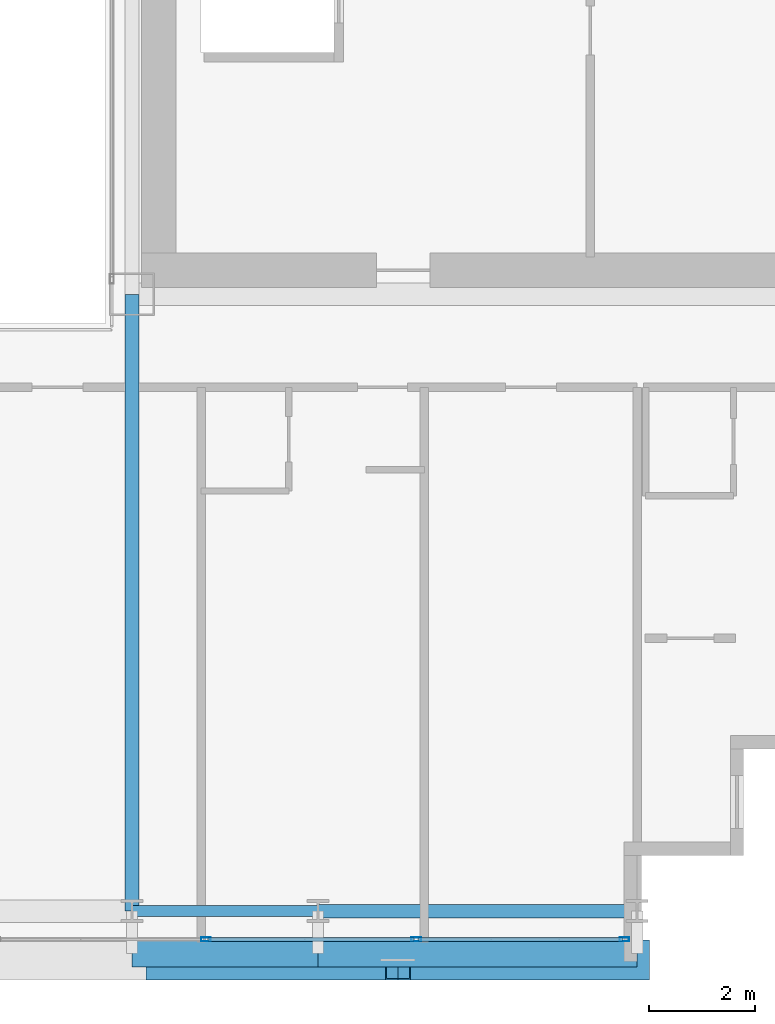
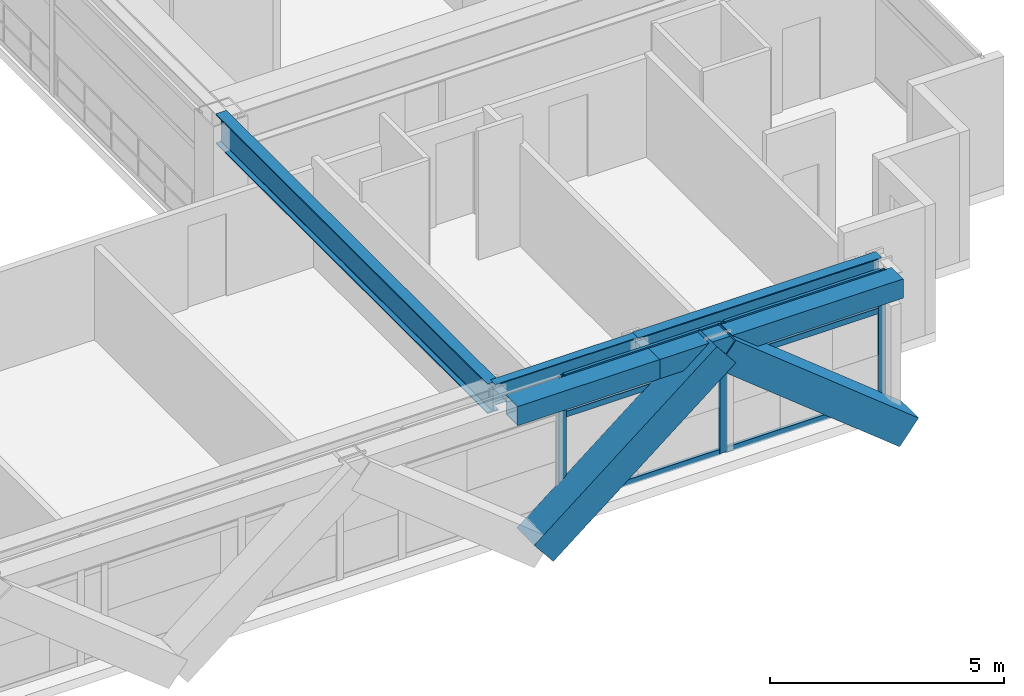
# One storey, part 11 of 39: 11 members, 5 beams, 1 element without a shape of its own.
"""IFC4 building model written with IfcOpenShell, lengths in metres."""

from ifc_helpers import new_model, si_unit, direction, frame, origin, origin_2d, place, context, subcontext, project, spatial, hollow_rectangle, i_section, extrude, source, transform, mapped, material, layer, layer_set, material_profile, profile_set, type_object, element, aggregate, save


model = new_model("IFC4")

# Units and contexts
model_context = context("Model", 3, precision=1e-05, world=origin(), true_north=direction((0.0, 1.0)))
body_context = subcontext(model_context, "Body", "Model", "MODEL_VIEW")
ifc_project = project(units=[si_unit("LENGTHUNIT", "METRE"), si_unit("AREAUNIT", "SQUARE_METRE"), si_unit("VOLUMEUNIT", "CUBIC_METRE"), si_unit("PLANEANGLEUNIT", "RADIAN"), si_unit("MASSUNIT", "GRAM", prefix="KILO")], contexts=[model_context])

# Site, building, storey
site_placement = place(None, origin())
site = spatial("IfcSite", under=ifc_project, at=site_placement, CompositionType="ELEMENT")
building_placement = place(site_placement, origin())
building = spatial("IfcBuilding", under=site, at=building_placement, Name="Ocotamira Hotel", CompositionType="ELEMENT")
storey_placement = place(building_placement, frame((0.0, 0.0, 126.0)))
storey = spatial("IfcBuildingStorey", under=building, at=storey_placement, Name="L31", CompositionType="ELEMENT", Elevation=126.0)

# Beams
ifc_material_1 = material(Name="Steel ASTM A992 Grade 50", Category="steel")
ifc_material_profile_1 = material_profile(ifc_material_1, i_section(OverallWidth=0.256103515625, OverallDepth=0.693115234375, WebThickness=0.014404296875, FlangeThickness=0.023681640625, FilletRadius=0.01611328125, at=origin_2d()), Name="W27X114")
ifc_profile_set_1 = profile_set([ifc_material_profile_1], Name="Steel ASTM A992 Grade 50")
beam_type_1 = type_object("IfcBeamType", Name="BM-PRIM-W27X114", PredefinedType="BEAM", material=ifc_profile_set_1)
shared_shape_1 = source(origin(), body_context, "Body", "SweptSolid", [
    extrude(i_section(OverallWidth=0.256103515625, OverallDepth=0.693115234375, WebThickness=0.014404296875, FlangeThickness=0.023681640625, FilletRadius=0.01611328125, at=origin_2d()), origin(), (0.0, 0.0, 1.0), 6.0),
])
beam_1_placement = place(storey_placement, frame((44.0, 2.949951171875, 3.013427734375), z_axis=(1.0, 0.0, 0.0), x_axis=(0.0, 1.0, 0.0)))
element("IfcBeam", 1, at=beam_1_placement, inside=storey, type_object=beam_type_1, Name="L31 Girder Y2.95 X44-50", PredefinedType="BEAM", context=body_context, shape_type="MappedRepresentation", body=[
    mapped(shared_shape_1, transform((0.0, 0.0, 0.0), scale=1.0)),
])
ifc_material_profile_2 = material_profile(ifc_material_1, i_section(OverallWidth=0.2099609375, OverallDepth=0.537109375, WebThickness=0.010986328125, FlangeThickness=0.017333984375, FilletRadius=0.012939453125, at=origin_2d()), Name="W21X68")
ifc_profile_set_2 = profile_set([ifc_material_profile_2], Name="Steel ASTM A992 Grade 50")
beam_type_2 = type_object("IfcBeamType", Name="BM-SEC-W21X68", PredefinedType="JOIST", material=ifc_profile_set_2)
shared_shape_2 = source(origin(), body_context, "Body", "SweptSolid", [
    extrude(i_section(OverallWidth=0.2099609375, OverallDepth=0.537109375, WebThickness=0.010986328125, FlangeThickness=0.017333984375, FilletRadius=0.012939453125, at=origin_2d()), origin(), (0.0, 0.0, 1.0), 3.5),
])
beam_2_placement = place(storey_placement, frame((40.5, 2.949951171875, 3.091552734375), z_axis=(1.0, 0.0, 0.0), x_axis=(0.0, 1.0, 0.0)))
element("IfcBeam", 2, at=beam_2_placement, inside=storey, type_object=beam_type_2, Name="L31 Girder Y2.95 X40.5-44", PredefinedType="JOIST", context=body_context, shape_type="MappedRepresentation", body=[
    mapped(shared_shape_2, transform((0.0, 0.0, 0.0), scale=1.0)),
])
ifc_material_profile_3 = material_profile(ifc_material_1, i_section(OverallWidth=0.26611328125, OverallDepth=0.779052734375, WebThickness=0.0166015625, FlangeThickness=0.030029296875, FilletRadius=0.01806640625, at=origin_2d()), Name="W30X148")
ifc_profile_set_3 = profile_set([ifc_material_profile_3], Name="Steel ASTM A992 Grade 50")
beam_type_3 = type_object("IfcBeamType", Name="BM-GIRD-W30X148", PredefinedType="BEAM", material=ifc_profile_set_3)
shared_shape_3 = source(origin(), body_context, "Body", "SweptSolid", [
    extrude(i_section(OverallWidth=0.26611328125, OverallDepth=0.779052734375, WebThickness=0.0166015625, FlangeThickness=0.030029296875, FilletRadius=0.01806640625, at=origin_2d()), origin(), (0.0, 0.0, 1.0), 11.60009765625),
])
beam_3_placement = place(storey_placement, frame((40.5, 2.949951171875, 2.970458984375), z_axis=(0.0, 1.0, 0.0), x_axis=(-1.0, 0.0, 0.0)))
element("IfcBeam", 3, at=beam_3_placement, inside=storey, type_object=beam_type_3, Name="L31 Beam X40.5 Y2.95-14.55", PredefinedType="BEAM", context=body_context, shape_type="MappedRepresentation", body=[
    mapped(shared_shape_3, transform((0.0, 0.0, 0.0), scale=1.0)),
])
ifc_material_2 = material(Name="Steel ASTM A500 Grade C", Category="steel")
ifc_material_profile_4 = material_profile(ifc_material_2, hollow_rectangle(XDim=0.5, YDim=0.5, WallThickness=0.02001953125, at=origin_2d()), Name="HSS500X500X20")
ifc_profile_set_4 = profile_set([ifc_material_profile_4], Name="Steel ASTM A500 Grade C")
beam_type_4 = type_object("IfcBeamType", Name="BM-SPAN-HSS500", PredefinedType="USERDEFINED", material=ifc_profile_set_4)
shared_shape_4 = source(origin(), body_context, "Body", "SweptSolid", [
    extrude(hollow_rectangle(XDim=0.5, YDim=0.5, WallThickness=0.02001953125, at=origin_2d()), origin(), (0.0, 0.0, 1.0), 6.0),
])
beam_4_placement = place(storey_placement, frame((44.0, 2.14990234375, 3.110107421875), z_axis=(1.0, 0.0, 0.0), x_axis=(0.0, 1.0, 0.0)))
element("IfcBeam", 4, at=beam_4_placement, inside=storey, type_object=beam_type_4, Name="L31 Edge Spandrel S X44-50", ObjectType="SPANDREL", PredefinedType="USERDEFINED", context=body_context, shape_type="MappedRepresentation", body=[
    mapped(shared_shape_4, transform((0.0, 0.0, 0.0), scale=1.0)),
])
shared_shape_5 = source(origin(), body_context, "Body", "SweptSolid", [
    extrude(hollow_rectangle(XDim=0.5, YDim=0.5, WallThickness=0.02001953125, at=origin_2d()), origin(), (0.0, 0.0, 1.0), 3.5),
])
beam_5_placement = place(storey_placement, frame((40.5, 2.14990234375, 3.110107421875), z_axis=(1.0, 0.0, 0.0), x_axis=(0.0, 1.0, 0.0)))
element("IfcBeam", 5, at=beam_5_placement, inside=storey, type_object=beam_type_4, Name="L31 Edge Spandrel S X40.5-44", ObjectType="SPANDREL", PredefinedType="USERDEFINED", context=body_context, shape_type="MappedRepresentation", body=[
    mapped(shared_shape_5, transform((0.0, 0.0, 0.0), scale=1.0)),
])

# Members
ifc_material_3 = material(Name="Pale-metal coated steel ASTM A913 Grade 65", Category="steel")
ifc_material_profile_5 = material_profile(ifc_material_3, hollow_rectangle(XDim=0.75, YDim=0.75, WallThickness=0.028076171875, at=origin_2d()), Name="BOX750X750X28")
ifc_profile_set_5 = profile_set([ifc_material_profile_5], Name="Pale-metal coated steel ASTM A913 Grade 65")
member_type_1 = type_object("IfcMemberType", Name="MEM-EXO-BOX750", PredefinedType="BRACE", material=ifc_profile_set_5)
shared_shape_6 = source(origin(), body_context, "Body", "SweptSolid", [
    extrude(hollow_rectangle(XDim=0.75, YDim=0.75, WallThickness=0.028076171875, at=origin_2d()), origin(), (0.0, 0.0, 1.0), 5.762939453125),
])
for number, where, z_axis, x_axis, name in (
    (6, (41.0, 2.030029296875, -0.489990234375), (0.780860543151, 0.0, 0.624705380279), (0.0, 1.0, 0.0), "L31 Exoskeleton Diagrid S3.1"),
    (7, (50.0, 2.030029296875, -0.489990234375), (-0.780860543151, 0.0, 0.624705380279), (0.0, -1.0, 0.0), "L31 Exoskeleton Diagrid S3.2"),
):
    element("IfcMember", number, at=place(storey_placement, frame(where, z_axis=z_axis, x_axis=x_axis)), inside=storey, type_object=member_type_1, Name=name, PredefinedType="BRACE", context=body_context, shape_type="MappedRepresentation", body=[
        mapped(shared_shape_6, transform((0.0, 0.0, 0.0), scale=1.0)),
    ])

# Curtain wall, members
ifc_material_4 = material(Name="Anodised pale-metal aluminium and solar glass", Category="aluminium")
ifc_layer = layer(ifc_material_4, 0.179931640625)
ifc_layer_set = layer_set([ifc_layer], Name="Anodised pale-metal aluminium and solar glass")
curtain_wall_type = type_object("IfcCurtainWallType", Name="CW-SYS3-Z2", PredefinedType="NOTDEFINED", material=ifc_layer_set)
curtain_wall_placement = place(storey_placement, origin())
curtain_wall = element("IfcCurtainWall", 8, at=curtain_wall_placement, inside=storey, type_object=curtain_wall_type, Name="L31 Curtain Wall CW-3 CW-L31-S1", PredefinedType="NOTDEFINED")
ifc_material_5 = material(Name="Anodised pale-metal aluminium 6063-T6", Category="aluminium")
ifc_material_profile_6 = material_profile(ifc_material_5, hollow_rectangle(XDim=0.074951171875, YDim=0.14990234375, WallThickness=0.006103515625, at=origin_2d()), Name="HSS150X75X6")
ifc_profile_set_6 = profile_set([ifc_material_profile_6], Name="Anodised pale-metal aluminium 6063-T6")
member_type_2 = type_object("IfcMemberType", Name="CWT-150X75", PredefinedType="USERDEFINED", material=ifc_profile_set_6)
shared_shape_7 = source(origin(), body_context, "Body", "SweptSolid", [
    extrude(hollow_rectangle(XDim=0.074951171875, YDim=0.14990234375, WallThickness=0.006103515625, at=origin_2d()), origin(), (0.0, 0.0, 1.0), 3.83544921875),
])
member_1_placement = place(storey_placement, frame((45.884521484375, 2.419921875, 0.03759765625), z_axis=(1.0, 0.0, 0.0), x_axis=(0.0, 1.0, 0.0)))
member_1 = element("IfcMember", 9, at=member_1_placement, type_object=member_type_2, Name="CW-3 transom 9.1", ObjectType="TRANSOM", PredefinedType="USERDEFINED", context=body_context, shape_type="MappedRepresentation", body=[
    mapped(shared_shape_7, transform((0.0, 0.0, 0.0), scale=1.0)),
])
member_2_placement = place(storey_placement, frame((45.884521484375, 2.419921875, 2.35009765625), z_axis=(1.0, 0.0, 0.0), x_axis=(0.0, 1.0, 0.0)))
member_2 = element("IfcMember", 10, at=member_2_placement, type_object=member_type_2, Name="CW-3 transom 9.2", ObjectType="TRANSOM", PredefinedType="USERDEFINED", context=body_context, shape_type="MappedRepresentation", body=[
    mapped(shared_shape_7, transform((0.0, 0.0, 0.0), scale=1.0)),
])
member_3_placement = place(storey_placement, frame((45.884521484375, 2.419921875, 3.322509765625), z_axis=(1.0, 0.0, 0.0), x_axis=(0.0, 1.0, 0.0)))
member_3 = element("IfcMember", 11, at=member_3_placement, type_object=member_type_2, Name="CW-3 transom 9.3", ObjectType="TRANSOM", PredefinedType="USERDEFINED", context=body_context, shape_type="MappedRepresentation", body=[
    mapped(shared_shape_7, transform((0.0, 0.0, 0.0), scale=1.0)),
])
shared_shape_8 = source(origin(), body_context, "Body", "SweptSolid", [
    extrude(hollow_rectangle(XDim=0.074951171875, YDim=0.14990234375, WallThickness=0.006103515625, at=origin_2d()), origin(), (0.0, 0.0, 1.0), 3.87548828125),
])
member_4_placement = place(storey_placement, frame((41.928955078125, 2.419921875, 0.03759765625), z_axis=(1.0, 0.0, 0.0), x_axis=(0.0, 1.0, 0.0)))
member_4 = element("IfcMember", 12, at=member_4_placement, type_object=member_type_2, Name="CW-3 transom 8.1", ObjectType="TRANSOM", PredefinedType="USERDEFINED", context=body_context, shape_type="MappedRepresentation", body=[
    mapped(shared_shape_8, transform((0.0, 0.0, 0.0), scale=1.0)),
])
member_5_placement = place(storey_placement, frame((41.928955078125, 2.419921875, 2.35009765625), z_axis=(1.0, 0.0, 0.0), x_axis=(0.0, 1.0, 0.0)))
member_5 = element("IfcMember", 13, at=member_5_placement, type_object=member_type_2, Name="CW-3 transom 8.2", ObjectType="TRANSOM", PredefinedType="USERDEFINED", context=body_context, shape_type="MappedRepresentation", body=[
    mapped(shared_shape_8, transform((0.0, 0.0, 0.0), scale=1.0)),
])
member_6_placement = place(storey_placement, frame((41.928955078125, 2.419921875, 3.322509765625), z_axis=(1.0, 0.0, 0.0), x_axis=(0.0, 1.0, 0.0)))
member_6 = element("IfcMember", 14, at=member_6_placement, type_object=member_type_2, Name="CW-3 transom 8.3", ObjectType="TRANSOM", PredefinedType="USERDEFINED", context=body_context, shape_type="MappedRepresentation", body=[
    mapped(shared_shape_8, transform((0.0, 0.0, 0.0), scale=1.0)),
])
ifc_material_profile_7 = material_profile(ifc_material_5, hollow_rectangle(XDim=0.080078125, YDim=0.179931640625, WallThickness=0.006103515625, at=origin_2d()), Name="HSS180X80X6")
ifc_profile_set_7 = profile_set([ifc_material_profile_7], Name="Anodised pale-metal aluminium 6063-T6")
member_type_3 = type_object("IfcMemberType", Name="CWM-180X75", PredefinedType="MULLION", material=ifc_profile_set_7)
shared_shape_9 = source(origin(), body_context, "Body", "SweptSolid", [
    extrude(hollow_rectangle(XDim=0.080078125, YDim=0.179931640625, WallThickness=0.006103515625, at=origin_2d()), origin(), (0.0, 0.0, 1.0), 3.360107421875),
])
member_7_placement = place(storey_placement, frame((41.888916015625, 2.419921875, 0.0), z_axis=(0.0, 0.0, 1.0), x_axis=(0.0, 1.0, 0.0)))
member_7 = element("IfcMember", 15, at=member_7_placement, type_object=member_type_3, Name="CW-3 mullion 8", PredefinedType="MULLION", context=body_context, shape_type="MappedRepresentation", body=[
    mapped(shared_shape_9, transform((0.0, 0.0, 0.0), scale=1.0)),
])
member_8_placement = place(storey_placement, frame((45.844482421875, 2.419921875, 0.0), z_axis=(0.0, 0.0, 1.0), x_axis=(0.0, 1.0, 0.0)))
member_8 = element("IfcMember", 16, at=member_8_placement, type_object=member_type_3, Name="CW-3 mullion 9", PredefinedType="MULLION", context=body_context, shape_type="MappedRepresentation", body=[
    mapped(shared_shape_9, transform((0.0, 0.0, 0.0), scale=1.0)),
])
member_9_placement = place(storey_placement, frame((49.760009765625, 2.419921875, 0.0), z_axis=(0.0, 0.0, 1.0), x_axis=(0.0, 1.0, 0.0)))
member_9 = element("IfcMember", 17, at=member_9_placement, type_object=member_type_3, Name="CW-3 mullion 10", PredefinedType="MULLION", context=body_context, shape_type="MappedRepresentation", body=[
    mapped(shared_shape_9, transform((0.0, 0.0, 0.0), scale=1.0)),
])
aggregate(curtain_wall, [member_7, member_8, member_9, member_4, member_5, member_6, member_1, member_2, member_3])

save(model, "model.ifc")
